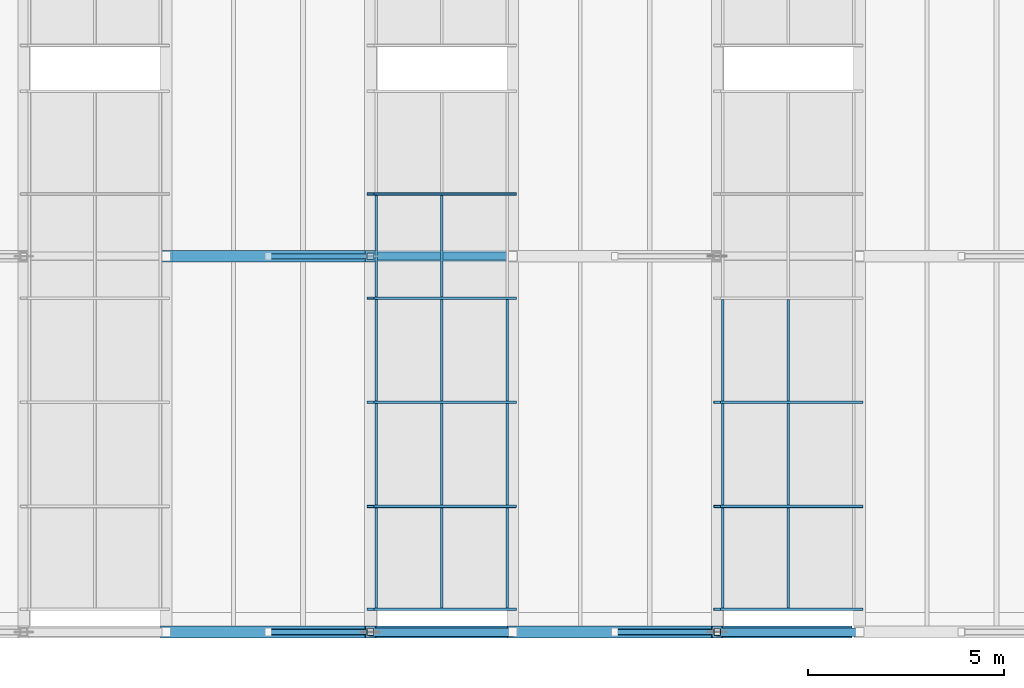
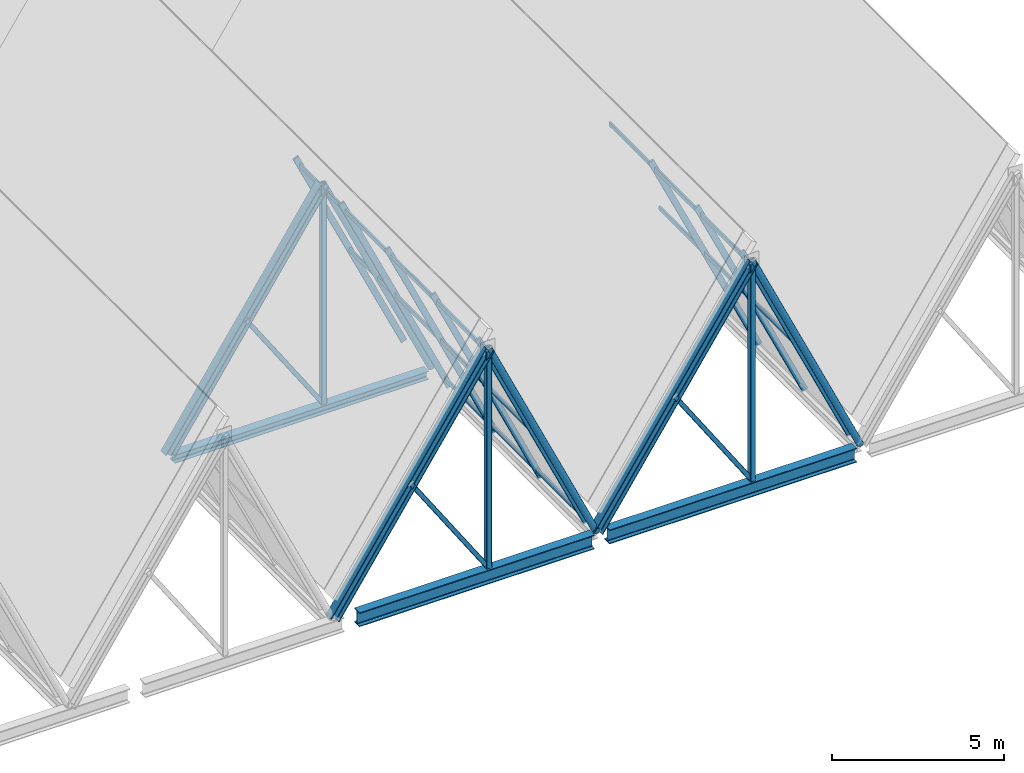
# One storey, part 50 of 99: 38 members, 2 beams, 2 elements without a shape of their own.
"""IFC4 building model written with IfcOpenShell, lengths in metres."""

from ifc_helpers import new_model, si_unit, direction, frame, origin, origin_2d, place, context, subcontext, project, spatial, hollow_rectangle, hollow_circle, i_section, extrude, material, material_profile, profile_set, type_object, element, aggregate, save


model = new_model("IFC4")

# Units and contexts
model_context = context("Model", 3, precision=1e-05, world=origin(), true_north=direction((0.0, 1.0)))
body_context = subcontext(model_context, "Body", "Model", "MODEL_VIEW")
ifc_project = project(units=[si_unit("LENGTHUNIT", "METRE"), si_unit("AREAUNIT", "SQUARE_METRE"), si_unit("VOLUMEUNIT", "CUBIC_METRE"), si_unit("PLANEANGLEUNIT", "RADIAN"), si_unit("MASSUNIT", "GRAM", prefix="KILO")], contexts=[model_context])

# Site, building, storey
site_placement = place(None, origin())
site = spatial("IfcSite", under=ifc_project, at=site_placement, CompositionType="ELEMENT")
building_placement = place(site_placement, origin())
building = spatial("IfcBuilding", under=site, at=building_placement, Name="Bramveld Media Centre", CompositionType="ELEMENT")
storey_placement = place(building_placement, frame((0.0, 0.0, 13.800048828125)))
storey = spatial("IfcBuildingStorey", under=building, at=storey_placement, Name="L03", CompositionType="ELEMENT", Elevation=13.800048828125)

# Curtain wall, members
ifc_material_1 = material(Name="Thermally broken anodized bronze aluminium unitized curtain wall with solar-control triple glazing", Category="aluminium")
curtain_wall_type = type_object("IfcCurtainWallType", Name="CW-SAW-13300x8606", PredefinedType="NOTDEFINED", material=ifc_material_1)
curtain_wall_1_placement = place(storey_placement, origin())
curtain_wall_1 = element("IfcCurtainWall", 1, at=curtain_wall_1_placement, inside=storey, type_object=curtain_wall_type, Name="V1 sawtooth north-light clerestory B5-S1", PredefinedType="NOTDEFINED")
ifc_material_2 = material(Name="Thermally broken anodized bronze aluminium EN AW-6063 T6 curtain-wall framing", Category="aluminium")
ifc_material_profile_1 = material_profile(ifc_material_2, hollow_rectangle(XDim=0.070068359375, YDim=0.199951171875, WallThickness=0.00439453125, InnerFilletRadius=0.00439453125, OuterFilletRadius=0.009033203125, at=origin_2d()), Name="AL-MULL 70x200")
ifc_profile_set_1 = profile_set([ifc_material_profile_1], Name="Thermally broken anodized bronze aluminium EN AW-6063 T6 curtain-wall framing")
member_type_1 = type_object("IfcMemberType", Name="CW-MULL-SLP", PredefinedType="MULLION", material=ifc_profile_set_1)
member_1_placement = place(storey_placement, frame((168.28564453125, 0.5849609375, -0.02001953125), z_axis=(-0.423956992265, 0.0, 0.90568232218), x_axis=(0.0, -1.0, 0.0)))
member_1 = element("IfcMember", 2, at=member_1_placement, type_object=member_type_1, Name="CW-SA-13386 sloped mullion 1", PredefinedType="MULLION", context=body_context, shape_type="SweptSolid", body=[
    extrude(hollow_rectangle(XDim=0.070068359375, YDim=0.199951171875, WallThickness=0.00439453125, InnerFilletRadius=0.00439453125, OuterFilletRadius=0.009033203125, at=origin_2d()), origin(), (0.0, 0.0, 1.0), 8.5791015625),
])
member_2_placement = place(storey_placement, frame((168.28564453125, 3.2099609375, -0.02001953125), z_axis=(-0.423956992265, 0.0, 0.90568232218), x_axis=(0.0, -1.0, 0.0)))
member_2 = element("IfcMember", 3, at=member_2_placement, type_object=member_type_1, Name="CW-SA-13386 sloped mullion 2", PredefinedType="MULLION", context=body_context, shape_type="SweptSolid", body=[
    extrude(hollow_rectangle(XDim=0.070068359375, YDim=0.199951171875, WallThickness=0.00439453125, InnerFilletRadius=0.00439453125, OuterFilletRadius=0.009033203125, at=origin_2d()), origin(), (0.0, 0.0, 1.0), 8.5791015625),
])
member_3_placement = place(storey_placement, frame((168.28564453125, 5.8701171875, -0.02001953125), z_axis=(-0.423956992265, 0.0, 0.90568232218), x_axis=(0.0, -1.0, 0.0)))
member_3 = element("IfcMember", 4, at=member_3_placement, type_object=member_type_1, Name="CW-SA-13386 sloped mullion 3", PredefinedType="MULLION", context=body_context, shape_type="SweptSolid", body=[
    extrude(hollow_rectangle(XDim=0.070068359375, YDim=0.199951171875, WallThickness=0.00439453125, InnerFilletRadius=0.00439453125, OuterFilletRadius=0.009033203125, at=origin_2d()), origin(), (0.0, 0.0, 1.0), 8.5791015625),
])
member_4_placement = place(storey_placement, frame((168.28564453125, 8.530029296875, -0.02001953125), z_axis=(-0.423956992265, 0.0, 0.90568232218), x_axis=(0.0, -1.0, 0.0)))
member_4 = element("IfcMember", 5, at=member_4_placement, type_object=member_type_1, Name="CW-SA-13386 sloped mullion 4", PredefinedType="MULLION", context=body_context, shape_type="SweptSolid", body=[
    extrude(hollow_rectangle(XDim=0.070068359375, YDim=0.199951171875, WallThickness=0.00439453125, InnerFilletRadius=0.00439453125, OuterFilletRadius=0.009033203125, at=origin_2d()), origin(), (0.0, 0.0, 1.0), 8.5791015625),
])
member_5_placement = place(storey_placement, frame((168.28564453125, 11.18994140625, -0.02001953125), z_axis=(-0.423956992265, 0.0, 0.90568232218), x_axis=(0.0, -1.0, 0.0)))
member_5 = element("IfcMember", 6, at=member_5_placement, type_object=member_type_1, Name="CW-SA-13386 sloped mullion 5", PredefinedType="MULLION", context=body_context, shape_type="SweptSolid", body=[
    extrude(hollow_rectangle(XDim=0.070068359375, YDim=0.199951171875, WallThickness=0.00439453125, InnerFilletRadius=0.00439453125, OuterFilletRadius=0.009033203125, at=origin_2d()), origin(), (0.0, 0.0, 1.0), 8.5791015625),
])

curtain_wall_2_placement = place(storey_placement, origin())
curtain_wall_2 = element("IfcCurtainWall", 7, at=curtain_wall_2_placement, inside=storey, type_object=curtain_wall_type, Name="V1 sawtooth north-light clerestory B6-S1", PredefinedType="NOTDEFINED")
member_6_placement = place(storey_placement, frame((177.142822265625, 0.5849609375, -0.02001953125), z_axis=(-0.423956992265, 0.0, 0.90568232218), x_axis=(0.0, -1.0, 0.0)))
member_6 = element("IfcMember", 8, at=member_6_placement, type_object=member_type_1, Name="CW-SA-13386 sloped mullion 1", PredefinedType="MULLION", context=body_context, shape_type="SweptSolid", body=[
    extrude(hollow_rectangle(XDim=0.070068359375, YDim=0.199951171875, WallThickness=0.00439453125, InnerFilletRadius=0.00439453125, OuterFilletRadius=0.009033203125, at=origin_2d()), origin(), (0.0, 0.0, 1.0), 8.5791015625),
])
member_7_placement = place(storey_placement, frame((177.142822265625, 3.2099609375, -0.02001953125), z_axis=(-0.423956992265, 0.0, 0.90568232218), x_axis=(0.0, -1.0, 0.0)))
member_7 = element("IfcMember", 9, at=member_7_placement, type_object=member_type_1, Name="CW-SA-13386 sloped mullion 2", PredefinedType="MULLION", context=body_context, shape_type="SweptSolid", body=[
    extrude(hollow_rectangle(XDim=0.070068359375, YDim=0.199951171875, WallThickness=0.00439453125, InnerFilletRadius=0.00439453125, OuterFilletRadius=0.009033203125, at=origin_2d()), origin(), (0.0, 0.0, 1.0), 8.5791015625),
])
member_8_placement = place(storey_placement, frame((177.142822265625, 5.8701171875, -0.02001953125), z_axis=(-0.423956992265, 0.0, 0.90568232218), x_axis=(0.0, -1.0, 0.0)))
member_8 = element("IfcMember", 10, at=member_8_placement, type_object=member_type_1, Name="CW-SA-13386 sloped mullion 3", PredefinedType="MULLION", context=body_context, shape_type="SweptSolid", body=[
    extrude(hollow_rectangle(XDim=0.070068359375, YDim=0.199951171875, WallThickness=0.00439453125, InnerFilletRadius=0.00439453125, OuterFilletRadius=0.009033203125, at=origin_2d()), origin(), (0.0, 0.0, 1.0), 8.5791015625),
])

# Member
ifc_material_3 = material(Name="Thermally broken anodized bronze aluminium EN AW-6063 T6 curtain-wall framing", Category="aluminium")
ifc_material_profile_2 = material_profile(ifc_material_3, hollow_rectangle(XDim=0.070068359375, YDim=0.14990234375, WallThickness=0.00390625, InnerFilletRadius=0.00390625, OuterFilletRadius=0.008056640625, at=origin_2d()), Name="AL-TRAN 70x150")
ifc_profile_set_2 = profile_set([ifc_material_profile_2], Name="Thermally broken anodized bronze aluminium EN AW-6063 T6 curtain-wall framing")
member_type_2 = type_object("IfcMemberType", Name="CW-TRAN-SLP", PredefinedType="USERDEFINED", material=ifc_profile_set_2)
member_9_placement = place(storey_placement, frame((168.14013671875, 0.6201171875, 0.290771484375), z_axis=(0.0, 1.0, 0.0), x_axis=(-1.0, 0.0, 0.0)))
member_9 = element("IfcMember", 11, at=member_9_placement, type_object=member_type_2, Name="CW-SA-13386 transom 1.1", ObjectType="TRANSOM", PredefinedType="USERDEFINED", context=body_context, shape_type="SweptSolid", body=[
    extrude(hollow_rectangle(XDim=0.070068359375, YDim=0.14990234375, WallThickness=0.00390625, InnerFilletRadius=0.00390625, OuterFilletRadius=0.008056640625, at=origin_2d()), origin(), (0.0, 0.0, 1.0), 2.554931640625),
])

member_10_placement = place(storey_placement, frame((166.467041015625, 0.6201171875, 3.864990234375), z_axis=(0.0, 1.0, 0.0), x_axis=(-1.0, 0.0, 0.0)))
member_10 = element("IfcMember", 12, at=member_10_placement, type_object=member_type_2, Name="CW-SA-13386 transom 1.2", ObjectType="TRANSOM", PredefinedType="USERDEFINED", context=body_context, shape_type="SweptSolid", body=[
    extrude(hollow_rectangle(XDim=0.070068359375, YDim=0.14990234375, WallThickness=0.00390625, InnerFilletRadius=0.00390625, OuterFilletRadius=0.008056640625, at=origin_2d()), origin(), (0.0, 0.0, 1.0), 2.554931640625),
])

member_11_placement = place(storey_placement, frame((164.7939453125, 0.6201171875, 7.439208984375), z_axis=(0.0, 1.0, 0.0), x_axis=(-1.0, 0.0, 0.0)))
member_11 = element("IfcMember", 13, at=member_11_placement, type_object=member_type_2, Name="CW-SA-13386 transom 1.3", ObjectType="TRANSOM", PredefinedType="USERDEFINED", context=body_context, shape_type="SweptSolid", body=[
    extrude(hollow_rectangle(XDim=0.070068359375, YDim=0.14990234375, WallThickness=0.00390625, InnerFilletRadius=0.00390625, OuterFilletRadius=0.008056640625, at=origin_2d()), origin(), (0.0, 0.0, 1.0), 2.554931640625),
])

member_12_placement = place(storey_placement, frame((168.14013671875, 3.2451171875, 0.290771484375), z_axis=(0.0, 1.0, 0.0), x_axis=(-1.0, 0.0, 0.0)))
member_12 = element("IfcMember", 14, at=member_12_placement, type_object=member_type_2, Name="CW-SA-13386 transom 2.1", ObjectType="TRANSOM", PredefinedType="USERDEFINED", context=body_context, shape_type="SweptSolid", body=[
    extrude(hollow_rectangle(XDim=0.070068359375, YDim=0.14990234375, WallThickness=0.00390625, InnerFilletRadius=0.00390625, OuterFilletRadius=0.008056640625, at=origin_2d()), origin(), (0.0, 0.0, 1.0), 2.58984375),
])

member_13_placement = place(storey_placement, frame((166.467041015625, 3.2451171875, 3.864990234375), z_axis=(0.0, 1.0, 0.0), x_axis=(-1.0, 0.0, 0.0)))
member_13 = element("IfcMember", 15, at=member_13_placement, type_object=member_type_2, Name="CW-SA-13386 transom 2.2", ObjectType="TRANSOM", PredefinedType="USERDEFINED", context=body_context, shape_type="SweptSolid", body=[
    extrude(hollow_rectangle(XDim=0.070068359375, YDim=0.14990234375, WallThickness=0.00390625, InnerFilletRadius=0.00390625, OuterFilletRadius=0.008056640625, at=origin_2d()), origin(), (0.0, 0.0, 1.0), 2.58984375),
])

member_14_placement = place(storey_placement, frame((164.7939453125, 3.2451171875, 7.439208984375), z_axis=(0.0, 1.0, 0.0), x_axis=(-1.0, 0.0, 0.0)))
member_14 = element("IfcMember", 16, at=member_14_placement, type_object=member_type_2, Name="CW-SA-13386 transom 2.3", ObjectType="TRANSOM", PredefinedType="USERDEFINED", context=body_context, shape_type="SweptSolid", body=[
    extrude(hollow_rectangle(XDim=0.070068359375, YDim=0.14990234375, WallThickness=0.00390625, InnerFilletRadius=0.00390625, OuterFilletRadius=0.008056640625, at=origin_2d()), origin(), (0.0, 0.0, 1.0), 2.58984375),
])

member_15_placement = place(storey_placement, frame((168.14013671875, 5.905029296875, 0.290771484375), z_axis=(0.0, 1.0, 0.0), x_axis=(-1.0, 0.0, 0.0)))
member_15 = element("IfcMember", 17, at=member_15_placement, type_object=member_type_2, Name="CW-SA-13386 transom 3.1", ObjectType="TRANSOM", PredefinedType="USERDEFINED", context=body_context, shape_type="SweptSolid", body=[
    extrude(hollow_rectangle(XDim=0.070068359375, YDim=0.14990234375, WallThickness=0.00390625, InnerFilletRadius=0.00390625, OuterFilletRadius=0.008056640625, at=origin_2d()), origin(), (0.0, 0.0, 1.0), 2.590087890625),
])

member_16_placement = place(storey_placement, frame((166.467041015625, 5.905029296875, 3.864990234375), z_axis=(0.0, 1.0, 0.0), x_axis=(-1.0, 0.0, 0.0)))
member_16 = element("IfcMember", 18, at=member_16_placement, type_object=member_type_2, Name="CW-SA-13386 transom 3.2", ObjectType="TRANSOM", PredefinedType="USERDEFINED", context=body_context, shape_type="SweptSolid", body=[
    extrude(hollow_rectangle(XDim=0.070068359375, YDim=0.14990234375, WallThickness=0.00390625, InnerFilletRadius=0.00390625, OuterFilletRadius=0.008056640625, at=origin_2d()), origin(), (0.0, 0.0, 1.0), 2.590087890625),
])

member_17_placement = place(storey_placement, frame((164.7939453125, 5.905029296875, 7.439208984375), z_axis=(0.0, 1.0, 0.0), x_axis=(-1.0, 0.0, 0.0)))
member_17 = element("IfcMember", 19, at=member_17_placement, type_object=member_type_2, Name="CW-SA-13386 transom 3.3", ObjectType="TRANSOM", PredefinedType="USERDEFINED", context=body_context, shape_type="SweptSolid", body=[
    extrude(hollow_rectangle(XDim=0.070068359375, YDim=0.14990234375, WallThickness=0.00390625, InnerFilletRadius=0.00390625, OuterFilletRadius=0.008056640625, at=origin_2d()), origin(), (0.0, 0.0, 1.0), 2.590087890625),
])

member_18_placement = place(storey_placement, frame((166.467041015625, 8.56494140625, 3.864990234375), z_axis=(0.0, 1.0, 0.0), x_axis=(-1.0, 0.0, 0.0)))
member_18 = element("IfcMember", 20, at=member_18_placement, type_object=member_type_2, Name="CW-SA-13386 transom 4.2", ObjectType="TRANSOM", PredefinedType="USERDEFINED", context=body_context, shape_type="SweptSolid", body=[
    extrude(hollow_rectangle(XDim=0.070068359375, YDim=0.14990234375, WallThickness=0.00390625, InnerFilletRadius=0.00390625, OuterFilletRadius=0.008056640625, at=origin_2d()), origin(), (0.0, 0.0, 1.0), 2.590087890625),
])

member_19_placement = place(storey_placement, frame((164.7939453125, 8.56494140625, 7.439208984375), z_axis=(0.0, 1.0, 0.0), x_axis=(-1.0, 0.0, 0.0)))
member_19 = element("IfcMember", 21, at=member_19_placement, type_object=member_type_2, Name="CW-SA-13386 transom 4.3", ObjectType="TRANSOM", PredefinedType="USERDEFINED", context=body_context, shape_type="SweptSolid", body=[
    extrude(hollow_rectangle(XDim=0.070068359375, YDim=0.14990234375, WallThickness=0.00390625, InnerFilletRadius=0.00390625, OuterFilletRadius=0.008056640625, at=origin_2d()), origin(), (0.0, 0.0, 1.0), 2.590087890625),
])

aggregate(curtain_wall_1, [member_1, member_2, member_3, member_4, member_5, member_9, member_10, member_11, member_12, member_13, member_14, member_15, member_16, member_17, member_18, member_19])

member_20_placement = place(storey_placement, frame((175.32421875, 0.6201171875, 3.864990234375), z_axis=(0.0, 1.0, 0.0), x_axis=(-1.0, 0.0, 0.0)))
member_20 = element("IfcMember", 22, at=member_20_placement, type_object=member_type_2, Name="CW-SA-13386 transom 1.2", ObjectType="TRANSOM", PredefinedType="USERDEFINED", context=body_context, shape_type="SweptSolid", body=[
    extrude(hollow_rectangle(XDim=0.070068359375, YDim=0.14990234375, WallThickness=0.00390625, InnerFilletRadius=0.00390625, OuterFilletRadius=0.008056640625, at=origin_2d()), origin(), (0.0, 0.0, 1.0), 2.554931640625),
])

member_21_placement = place(storey_placement, frame((173.651123046875, 0.6201171875, 7.439208984375), z_axis=(0.0, 1.0, 0.0), x_axis=(-1.0, 0.0, 0.0)))
member_21 = element("IfcMember", 23, at=member_21_placement, type_object=member_type_2, Name="CW-SA-13386 transom 1.3", ObjectType="TRANSOM", PredefinedType="USERDEFINED", context=body_context, shape_type="SweptSolid", body=[
    extrude(hollow_rectangle(XDim=0.070068359375, YDim=0.14990234375, WallThickness=0.00390625, InnerFilletRadius=0.00390625, OuterFilletRadius=0.008056640625, at=origin_2d()), origin(), (0.0, 0.0, 1.0), 2.554931640625),
])

member_22_placement = place(storey_placement, frame((175.32421875, 3.2451171875, 3.864990234375), z_axis=(0.0, 1.0, 0.0), x_axis=(-1.0, 0.0, 0.0)))
member_22 = element("IfcMember", 24, at=member_22_placement, type_object=member_type_2, Name="CW-SA-13386 transom 2.2", ObjectType="TRANSOM", PredefinedType="USERDEFINED", context=body_context, shape_type="SweptSolid", body=[
    extrude(hollow_rectangle(XDim=0.070068359375, YDim=0.14990234375, WallThickness=0.00390625, InnerFilletRadius=0.00390625, OuterFilletRadius=0.008056640625, at=origin_2d()), origin(), (0.0, 0.0, 1.0), 2.58984375),
])

member_23_placement = place(storey_placement, frame((173.651123046875, 3.2451171875, 7.439208984375), z_axis=(0.0, 1.0, 0.0), x_axis=(-1.0, 0.0, 0.0)))
member_23 = element("IfcMember", 25, at=member_23_placement, type_object=member_type_2, Name="CW-SA-13386 transom 2.3", ObjectType="TRANSOM", PredefinedType="USERDEFINED", context=body_context, shape_type="SweptSolid", body=[
    extrude(hollow_rectangle(XDim=0.070068359375, YDim=0.14990234375, WallThickness=0.00390625, InnerFilletRadius=0.00390625, OuterFilletRadius=0.008056640625, at=origin_2d()), origin(), (0.0, 0.0, 1.0), 2.58984375),
])

member_24_placement = place(storey_placement, frame((175.32421875, 5.905029296875, 3.864990234375), z_axis=(0.0, 1.0, 0.0), x_axis=(-1.0, 0.0, 0.0)))
member_24 = element("IfcMember", 26, at=member_24_placement, type_object=member_type_2, Name="CW-SA-13386 transom 3.2", ObjectType="TRANSOM", PredefinedType="USERDEFINED", context=body_context, shape_type="SweptSolid", body=[
    extrude(hollow_rectangle(XDim=0.070068359375, YDim=0.14990234375, WallThickness=0.00390625, InnerFilletRadius=0.00390625, OuterFilletRadius=0.008056640625, at=origin_2d()), origin(), (0.0, 0.0, 1.0), 2.590087890625),
])

member_25_placement = place(storey_placement, frame((173.651123046875, 5.905029296875, 7.439208984375), z_axis=(0.0, 1.0, 0.0), x_axis=(-1.0, 0.0, 0.0)))
member_25 = element("IfcMember", 27, at=member_25_placement, type_object=member_type_2, Name="CW-SA-13386 transom 3.3", ObjectType="TRANSOM", PredefinedType="USERDEFINED", context=body_context, shape_type="SweptSolid", body=[
    extrude(hollow_rectangle(XDim=0.070068359375, YDim=0.14990234375, WallThickness=0.00390625, InnerFilletRadius=0.00390625, OuterFilletRadius=0.008056640625, at=origin_2d()), origin(), (0.0, 0.0, 1.0), 2.590087890625),
])

aggregate(curtain_wall_2, [member_6, member_7, member_8, member_20, member_21, member_22, member_23, member_24, member_25])

# Members
ifc_material_4 = material(Name="Steel S355J2H", Category="steel")
ifc_material_profile_3 = material_profile(ifc_material_4, hollow_circle(Radius=0.109619140625, WallThickness=0.012451171875, at=origin_2d()), Name="CHS 219.1x12.5")
ifc_profile_set_3 = profile_set([ifc_material_profile_3], Name="Steel S355J2H")
member_type_3 = type_object("IfcMemberType", Name="MEM-BRACE-CHS219", PredefinedType="BRACE", material=ifc_profile_set_3)
for number, where, z_axis, x_axis, name in (
    (28, (168.28564453125, 0.0, 0.0), (-0.422616785161, 0.0, 0.906308475575), (0.0, -1.0, 0.0), "TRUSS-V1-B05-F1 north-light strut"),
    (29, (168.28564453125, 9.60009765625, 0.0), (-0.422616785161, 0.0, 0.906308475575), (0.0, -1.0, 0.0), "TRUSS-V1-B05-F2 north-light strut"),
    (30, (177.142822265625, 0.0, 0.0), (-0.422616785161, 0.0, 0.906308475575), (0.0, -1.0, 0.0), "TRUSS-V1-B06-F1 north-light strut"),
):
    element("IfcMember", number, at=place(storey_placement, frame(where, z_axis=z_axis, x_axis=x_axis)), inside=storey, type_object=member_type_3, Name=name, PredefinedType="BRACE", context=body_context, shape_type="SweptSolid", body=[
        extrude(hollow_circle(Radius=0.109619140625, WallThickness=0.012451171875, at=origin_2d()), origin(), (0.0, 0.0, 1.0), 8.6064453125),
    ])
ifc_material_5 = material(Name="Steel S355J2H", Category="steel")
ifc_material_profile_4 = material_profile(ifc_material_5, hollow_rectangle(XDim=0.14990234375, YDim=0.14990234375, WallThickness=0.010009765625, InnerFilletRadius=0.010009765625, OuterFilletRadius=0.02001953125, at=origin_2d()), Name="SHS 150x150x10")
ifc_profile_set_4 = profile_set([ifc_material_profile_4], Name="Steel S355J2H")
member_type_4 = type_object("IfcMemberType", Name="MEM-BRACE-SHS150", PredefinedType="BRACE", material=ifc_profile_set_4)
for number, where, z_axis, x_axis, name in (
    (31, (164.6484375, 0.0, 0.0), (-0.55616408489, 0.0, 0.83107250627), (0.0, -1.0, 0.0), "TRUSS-V1-B05-F1 web diagonal"),
    (32, (164.6484375, 9.60009765625, 0.0), (-0.55616408489, 0.0, 0.83107250627), (0.0, -1.0, 0.0), "TRUSS-V1-B05-F2 web diagonal"),
):
    element("IfcMember", number, at=place(storey_placement, frame(where, z_axis=z_axis, x_axis=x_axis)), inside=storey, type_object=member_type_4, Name=name, PredefinedType="BRACE", context=body_context, shape_type="SweptSolid", body=[
        extrude(hollow_rectangle(XDim=0.14990234375, YDim=0.14990234375, WallThickness=0.010009765625, InnerFilletRadius=0.010009765625, OuterFilletRadius=0.02001953125, at=origin_2d()), origin(), (0.0, 0.0, 1.0), 4.692626953125),
    ])
member_26_placement = place(storey_placement, frame((173.505615234375, 0.0, 0.0), z_axis=(-0.556200017124, 0.0, 0.831048458847), x_axis=(0.0, -1.0, 0.0)))
element("IfcMember", 33, at=member_26_placement, inside=storey, type_object=member_type_4, Name="TRUSS-V1-B06-F1 web diagonal", PredefinedType="BRACE", context=body_context, shape_type="SweptSolid", body=[
    extrude(hollow_rectangle(XDim=0.14990234375, YDim=0.14990234375, WallThickness=0.010009765625, InnerFilletRadius=0.010009765625, OuterFilletRadius=0.02001953125, at=origin_2d()), origin(), (0.0, 0.0, 1.0), 4.69287109375),
])
ifc_material_6 = material(Name="Steel S355J2", Category="steel")
ifc_material_profile_5 = material_profile(ifc_material_6, i_section(OverallWidth=0.300048828125, OverallDepth=0.2900390625, WebThickness=0.008544921875, FlangeThickness=0.013916015625, FilletRadius=0.027099609375, at=origin_2d()), Name="HEA 300")
ifc_profile_set_5 = profile_set([ifc_material_profile_5], Name="Steel S355J2")
member_type_5 = type_object("IfcMemberType", Name="MEM-CHORD-HEA300", PredefinedType="CHORD", material=ifc_profile_set_5)
member_27_placement = place(storey_placement, frame((159.588623046875, 9.60009765625, -0.14501953125), z_axis=(1.0, 0.0, 0.0), x_axis=(0.0, 1.0, 0.0)))
element("IfcMember", 34, at=member_27_placement, inside=storey, type_object=member_type_5, Name="TRUSS-V1-B05-F2 bottom tie chord", PredefinedType="CHORD", context=body_context, shape_type="SweptSolid", body=[
    extrude(i_section(OverallWidth=0.300048828125, OverallDepth=0.2900390625, WebThickness=0.008544921875, FlangeThickness=0.013916015625, FilletRadius=0.027099609375, at=origin_2d()), origin(), (0.0, 0.0, 1.0), 8.537109375),
])
ifc_material_7 = material(Name="Steel S355J2", Category="steel")
ifc_material_profile_6 = material_profile(ifc_material_7, i_section(OverallWidth=0.300048828125, OverallDepth=0.340087890625, WebThickness=0.011962890625, FlangeThickness=0.021484375, FilletRadius=0.027099609375, at=origin_2d()), Name="HEB 340")
ifc_profile_set_6 = profile_set([ifc_material_profile_6], Name="Steel S355J2")
member_type_6 = type_object("IfcMemberType", Name="MEM-CHORD-HEB340", PredefinedType="CHORD", material=ifc_profile_set_6)
for number, where, z_axis, x_axis, name in (
    (35, (159.4287109375, 0.0, 0.0), (0.55615206142, 0.0, 0.8310805524), (0.0, 1.0, 0.0), "TRUSS-V1-B05-F1 top rafter chord"),
    (36, (159.4287109375, 9.60009765625, 0.0), (0.55615206142, 0.0, 0.8310805524), (0.0, 1.0, 0.0), "TRUSS-V1-B05-F2 top rafter chord"),
    (37, (168.28564453125, 0.0, 0.0), (0.556170027887, 0.0, 0.831068529112), (0.0, 1.0, 0.0), "TRUSS-V1-B06-F1 top rafter chord"),
):
    element("IfcMember", number, at=place(storey_placement, frame(where, z_axis=z_axis, x_axis=x_axis)), inside=storey, type_object=member_type_6, Name=name, PredefinedType="CHORD", context=body_context, shape_type="SweptSolid", body=[
        extrude(i_section(OverallWidth=0.300048828125, OverallDepth=0.340087890625, WebThickness=0.011962890625, FlangeThickness=0.021484375, FilletRadius=0.027099609375, at=origin_2d()), origin(), (0.0, 0.0, 1.0), 9.385498046875),
    ])
ifc_material_8 = material(Name="Steel S355J2H", Category="steel")
ifc_material_profile_7 = material_profile(ifc_material_8, hollow_rectangle(XDim=0.179931640625, YDim=0.179931640625, WallThickness=0.010009765625, InnerFilletRadius=0.010009765625, OuterFilletRadius=0.02001953125, at=origin_2d()), Name="SHS 180x180x10")
ifc_profile_set_7 = profile_set([ifc_material_profile_7], Name="Steel S355J2H")
member_type_7 = type_object("IfcMemberType", Name="MEM-POST-SHS180", PredefinedType="POST", material=ifc_profile_set_7)
for number, where, z_axis, x_axis, name in (
    (38, (164.6484375, 0.0, 0.0), (0.0, 0.0, 1.0), (1.0, 0.0, 0.0), "TRUSS-V1-B05-F1 kingpost"),
    (39, (164.6484375, 9.60009765625, 0.0), (0.0, 0.0, 1.0), (1.0, 0.0, 0.0), "TRUSS-V1-B05-F2 kingpost"),
    (40, (173.505615234375, 0.0, 0.0), (0.0, 0.0, 1.0), (1.0, 0.0, 0.0), "TRUSS-V1-B06-F1 kingpost"),
):
    element("IfcMember", number, at=place(storey_placement, frame(where, z_axis=z_axis, x_axis=x_axis)), inside=storey, type_object=member_type_7, Name=name, PredefinedType="POST", context=body_context, shape_type="SweptSolid", body=[
        extrude(hollow_rectangle(XDim=0.179931640625, YDim=0.179931640625, WallThickness=0.010009765625, InnerFilletRadius=0.010009765625, OuterFilletRadius=0.02001953125, at=origin_2d()), origin(), (0.0, 0.0, 1.0), 7.800048828125),
    ])

# Beams
ifc_material_9 = material(Name="Steel S355J2", Category="steel")
ifc_material_profile_8 = material_profile(ifc_material_9, i_section(OverallWidth=0.300048828125, OverallDepth=0.5, WebThickness=0.014404296875, FlangeThickness=0.028076171875, FilletRadius=0.027099609375, at=origin_2d()), Name="HEB 500")
ifc_profile_set_8 = profile_set([ifc_material_profile_8], Name="Steel S355J2")
beam_type = type_object("IfcBeamType", Name="SBM-EXT-HEB-500", PredefinedType="BEAM", material=ifc_profile_set_8)
beam_1_placement = place(storey_placement, frame((160.25, 0.0, -0.25), z_axis=(1.0, 0.0, 0.0), x_axis=(0.0, 1.0, 0.0)))
element("IfcBeam", 41, at=beam_1_placement, inside=storey, type_object=beam_type, Name="V1 sawtooth tie girder", PredefinedType="BEAM", context=body_context, shape_type="SweptSolid", body=[
    extrude(i_section(OverallWidth=0.300048828125, OverallDepth=0.5, WebThickness=0.014404296875, FlangeThickness=0.028076171875, FilletRadius=0.027099609375, at=origin_2d()), origin(), (0.0, 0.0, 1.0), 7.89990234375),
])
beam_2_placement = place(storey_placement, frame((168.64990234375, 0.0, -0.25), z_axis=(1.0, 0.0, 0.0), x_axis=(0.0, 1.0, 0.0)))
element("IfcBeam", 42, at=beam_2_placement, inside=storey, type_object=beam_type, Name="V1 sawtooth tie girder", PredefinedType="BEAM", context=body_context, shape_type="SweptSolid", body=[
    extrude(i_section(OverallWidth=0.300048828125, OverallDepth=0.5, WebThickness=0.014404296875, FlangeThickness=0.028076171875, FilletRadius=0.027099609375, at=origin_2d()), origin(), (0.0, 0.0, 1.0), 8.300048828125),
])

save(model, "model.ifc")
